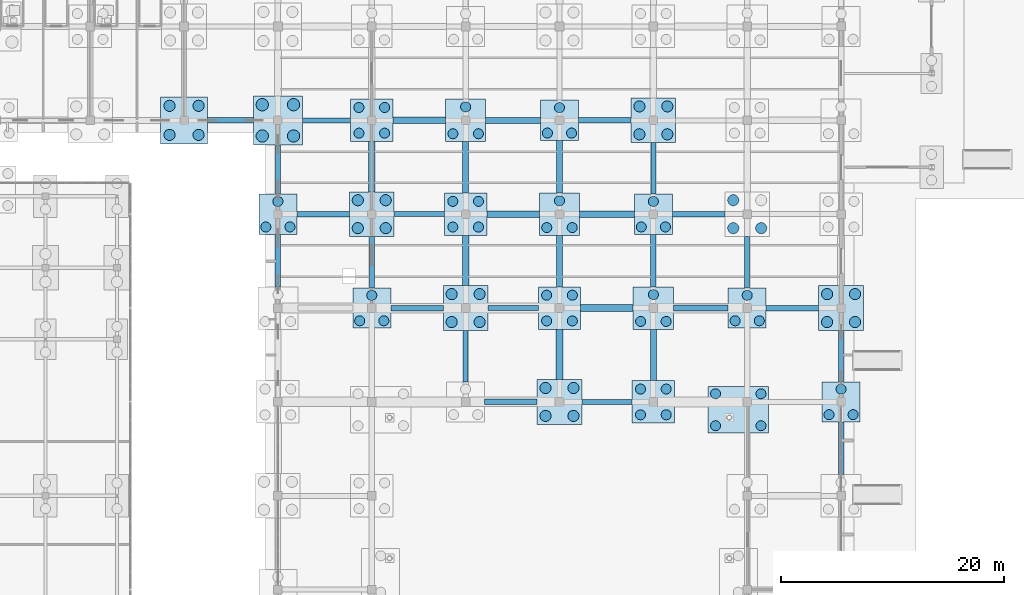
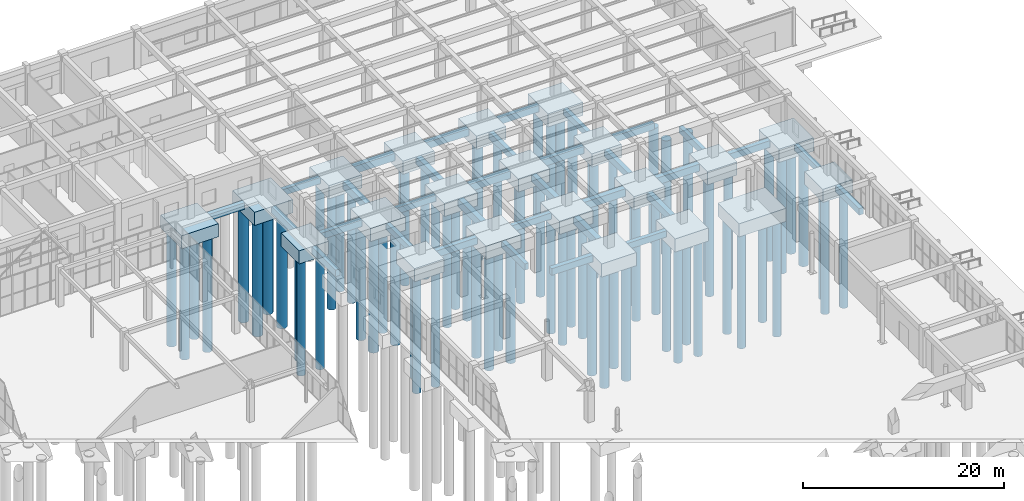
# One storey, part 14 of 192: 78 piles, 54 footings.
"""IFC4 building model written with IfcOpenShell, lengths in metres."""

from ifc_helpers import new_model, si_unit, direction, frame, origin, origin_2d, place, context, subcontext, project, spatial, rectangle, circle, extrude, material, layer, layer_set, material_profile, profile_set, type_object, element, save


model = new_model("IFC4")

# Units and contexts
model_context = context("Model", 3, precision=1e-05, world=origin(), true_north=direction((0.0, 1.0)))
body_context = subcontext(model_context, "Body", "Model", "MODEL_VIEW")
ifc_project = project(units=[si_unit("LENGTHUNIT", "METRE"), si_unit("AREAUNIT", "SQUARE_METRE"), si_unit("VOLUMEUNIT", "CUBIC_METRE"), si_unit("PLANEANGLEUNIT", "RADIAN"), si_unit("MASSUNIT", "GRAM", prefix="KILO")], contexts=[model_context])

# Site, building, storey
site_placement = place(None, origin())
site = spatial("IfcSite", under=ifc_project, at=site_placement, CompositionType="ELEMENT")
building_placement = place(site_placement, origin())
building = spatial("IfcBuilding", under=site, at=building_placement, Name="Trelvath General Hospital", CompositionType="ELEMENT")
storey_placement = place(building_placement, origin())
storey = spatial("IfcBuildingStorey", under=building, at=storey_placement, Name="L00", CompositionType="ELEMENT", Elevation=0.0)

# Piles
ifc_material_1 = material(Name="Concrete C35/45", Category="concrete")
ifc_material_profile_1 = material_profile(ifc_material_1, circle(Radius=0.5, at=origin_2d()), Name="PILE1000")
ifc_profile_set_1 = profile_set([ifc_material_profile_1], Name="Concrete C35/45")
pile_type_1 = type_object("IfcPileType", Name="BoredPile D1000", PredefinedType="BORED", material=ifc_profile_set_1)
for number, where, z_axis, x_axis, name in (
    (1, (124.699951171875, 91.10009765625, -1.800048828125), (0.0, 0.0, -1.0), (1.0, 0.0, 0.0), "Bored Pile P-0868"),
    (2, (127.300048828125, 91.10009765625, -1.800048828125), (0.0, 0.0, -1.0), (1.0, 0.0, 0.0), "Bored Pile P-0869"),
    (3, (124.699951171875, 93.699951171875, -1.800048828125), (0.0, 0.0, -1.0), (1.0, 0.0, 0.0), "Bored Pile P-0870"),
    (4, (127.300048828125, 93.699951171875, -1.800048828125), (0.0, 0.0, -1.0), (1.0, 0.0, 0.0), "Bored Pile P-0871"),
    (5, (141.550048828125, 82.75, -1.800048828125), (0.0, 0.0, -1.0), (1.0, 0.0, 0.0), "Bored Pile P-0974"),
    (6, (144.050048828125, 82.75, -1.800048828125), (0.0, 0.0, -1.0), (1.0, 0.0, 0.0), "Bored Pile P-0975"),
    (7, (141.550048828125, 85.25, -1.800048828125), (0.0, 0.0, -1.0), (1.0, 0.0, 0.0), "Bored Pile P-0976"),
    (8, (144.050048828125, 85.25, -1.800048828125), (0.0, 0.0, -1.0), (1.0, 0.0, 0.0), "Bored Pile P-0977"),
    (9, (149.949951171875, 74.35009765625, -1.800048828125), (0.0, 0.0, -1.0), (1.0, 0.0, 0.0), "Bored Pile P-1002"),
    (10, (152.449951171875, 74.35009765625, -1.800048828125), (0.0, 0.0, -1.0), (1.0, 0.0, 0.0), "Bored Pile P-1003"),
    (11, (149.949951171875, 76.85009765625, -1.800048828125), (0.0, 0.0, -1.0), (1.0, 0.0, 0.0), "Bored Pile P-1004"),
    (12, (152.449951171875, 76.85009765625, -1.800048828125), (0.0, 0.0, -1.0), (1.0, 0.0, 0.0), "Bored Pile P-1005"),
    (13, (158.35009765625, 65.949951171875, -1.800048828125), (0.0, 0.0, -1.0), (1.0, 0.0, 0.0), "Bored Pile P-1030"),
    (14, (160.85009765625, 65.949951171875, -1.800048828125), (0.0, 0.0, -1.0), (1.0, 0.0, 0.0), "Bored Pile P-1031"),
    (15, (158.35009765625, 68.449951171875, -1.800048828125), (0.0, 0.0, -1.0), (1.0, 0.0, 0.0), "Bored Pile P-1032"),
    (16, (160.85009765625, 68.449951171875, -1.800048828125), (0.0, 0.0, -1.0), (1.0, 0.0, 0.0), "Bored Pile P-1033"),
    (17, (166.75, 91.14990234375, -1.800048828125), (0.0, 0.0, -1.0), (1.0, 0.0, 0.0), "Bored Pile P-1072"),
    (18, (169.25, 91.14990234375, -1.800048828125), (0.0, 0.0, -1.0), (1.0, 0.0, 0.0), "Bored Pile P-1073"),
    (19, (166.75, 93.64990234375, -1.800048828125), (0.0, 0.0, -1.0), (1.0, 0.0, 0.0), "Bored Pile P-1074"),
    (20, (169.25, 93.64990234375, -1.800048828125), (0.0, 0.0, -1.0), (1.0, 0.0, 0.0), "Bored Pile P-1075"),
    (21, (175.14990234375, 82.75, -1.800048828125), (0.0, 0.0, -1.0), (1.0, 0.0, 0.0), "Bored Pile P-1112"),
    (22, (177.64990234375, 82.75, -1.800048828125), (0.0, 0.0, -1.0), (1.0, 0.0, 0.0), "Bored Pile P-1113"),
    (23, (175.14990234375, 85.25, -1.800048828125), (0.0, 0.0, -1.0), (1.0, 0.0, 0.0), "Bored Pile P-1114"),
    (24, (183.550048828125, 74.35009765625, -1.800048828125), (0.0, 0.0, -1.0), (1.0, 0.0, 0.0), "Bored Pile P-1154"),
    (25, (186.050048828125, 74.35009765625, -1.800048828125), (0.0, 0.0, -1.0), (1.0, 0.0, 0.0), "Bored Pile P-1155"),
    (26, (183.550048828125, 76.85009765625, -1.800048828125), (0.0, 0.0, -1.0), (1.0, 0.0, 0.0), "Bored Pile P-1156"),
    (27, (186.050048828125, 76.85009765625, -1.800048828125), (0.0, 0.0, -1.0), (1.0, 0.0, 0.0), "Bored Pile P-1157"),
):
    element("IfcPile", number, at=place(storey_placement, frame(where, z_axis=z_axis, x_axis=x_axis)), inside=storey, type_object=pile_type_1, Name=name, PredefinedType="BORED", context=body_context, shape_type="SweptSolid", body=[
        extrude(circle(Radius=0.5, at=origin_2d()), origin(), (0.0, 0.0, 1.0), 14.0),
    ])
ifc_material_2 = material(Name="Concrete C35/45", Category="concrete")
ifc_material_profile_2 = material_profile(ifc_material_2, circle(Radius=0.550048828125, at=origin_2d()), Name="PILE1100")
ifc_profile_set_2 = profile_set([ifc_material_profile_2], Name="Concrete C35/45")
pile_type_2 = type_object("IfcPileType", Name="BoredPile D1100", PredefinedType="BORED", material=ifc_profile_set_2)
for number, where, z_axis, x_axis, name in (
    (28, (133.0, 91.0, -1.800048828125), (0.0, 0.0, -1.0), (1.0, 0.0, 0.0), "Bored Pile P-0928"),
    (29, (135.800048828125, 91.0, -1.800048828125), (0.0, 0.0, -1.0), (1.0, 0.0, 0.0), "Bored Pile P-0929"),
    (30, (133.0, 93.800048828125, -1.800048828125), (0.0, 0.0, -1.0), (1.0, 0.0, 0.0), "Bored Pile P-0930"),
    (31, (135.800048828125, 93.800048828125, -1.800048828125), (0.0, 0.0, -1.0), (1.0, 0.0, 0.0), "Bored Pile P-0931"),
):
    element("IfcPile", number, at=place(storey_placement, frame(where, z_axis=z_axis, x_axis=x_axis)), inside=storey, type_object=pile_type_2, Name=name, PredefinedType="BORED", context=body_context, shape_type="SweptSolid", body=[
        extrude(circle(Radius=0.550048828125, at=origin_2d()), origin(), (0.0, 0.0, 1.0), 14.0),
    ])
ifc_material_3 = material(Name="Concrete C35/45", Category="concrete")
ifc_material_profile_3 = material_profile(ifc_material_3, circle(Radius=0.449951171875, at=origin_2d()), Name="PILE900")
ifc_profile_set_3 = profile_set([ifc_material_profile_3], Name="Concrete C35/45")
pile_type_3 = type_object("IfcPileType", Name="BoredPile D900", PredefinedType="BORED", material=ifc_profile_set_3)
for number, where, z_axis, x_axis, name in (
    (32, (133.320068359375, 82.860107421875, -1.800048828125), (0.0, 0.0, -1.0), (1.0, 0.0, 0.0), "Bored Pile P-0925"),
    (33, (135.47998046875, 82.860107421875, -1.800048828125), (0.0, 0.0, -1.0), (1.0, 0.0, 0.0), "Bored Pile P-0926"),
    (34, (134.39990234375, 85.139892578125, -1.800048828125), (0.0, 0.0, -1.0), (1.0, 0.0, 0.0), "Bored Pile P-0927"),
    (35, (141.719970703125, 74.4599609375, -1.800048828125), (0.0, 0.0, -1.0), (1.0, 0.0, 0.0), "Bored Pile P-0971"),
    (36, (143.8798828125, 74.4599609375, -1.800048828125), (0.0, 0.0, -1.0), (1.0, 0.0, 0.0), "Bored Pile P-0972"),
    (37, (142.800048828125, 76.739990234375, -1.800048828125), (0.0, 0.0, -1.0), (1.0, 0.0, 0.0), "Bored Pile P-0973"),
    (38, (141.64990234375, 91.25, -1.800048828125), (0.0, 0.0, -1.0), (1.0, 0.0, 0.0), "Bored Pile P-0978"),
    (39, (143.949951171875, 91.25, -1.800048828125), (0.0, 0.0, -1.0), (1.0, 0.0, 0.0), "Bored Pile P-0979"),
    (40, (141.64990234375, 93.550048828125, -1.800048828125), (0.0, 0.0, -1.0), (1.0, 0.0, 0.0), "Bored Pile P-0980"),
    (41, (143.949951171875, 93.550048828125, -1.800048828125), (0.0, 0.0, -1.0), (1.0, 0.0, 0.0), "Bored Pile P-0981"),
    (42, (150.050048828125, 82.85009765625, -1.800048828125), (0.0, 0.0, -1.0), (1.0, 0.0, 0.0), "Bored Pile P-1006"),
    (43, (152.35009765625, 82.85009765625, -1.800048828125), (0.0, 0.0, -1.0), (1.0, 0.0, 0.0), "Bored Pile P-1007"),
    (44, (150.050048828125, 85.14990234375, -1.800048828125), (0.0, 0.0, -1.0), (1.0, 0.0, 0.0), "Bored Pile P-1008"),
    (45, (152.35009765625, 85.14990234375, -1.800048828125), (0.0, 0.0, -1.0), (1.0, 0.0, 0.0), "Bored Pile P-1009"),
    (46, (150.06005859375, 91.199951171875, -1.800048828125), (0.0, 0.0, -1.0), (1.0, 0.0, 0.0), "Bored Pile P-1010"),
    (47, (152.340087890625, 91.199951171875, -1.800048828125), (0.0, 0.0, -1.0), (1.0, 0.0, 0.0), "Bored Pile P-1011"),
    (48, (151.199951171875, 93.60009765625, -1.800048828125), (0.0, 0.0, -1.0), (1.0, 0.0, 0.0), "Bored Pile P-1012"),
    (49, (158.449951171875, 74.449951171875, -1.800048828125), (0.0, 0.0, -1.0), (1.0, 0.0, 0.0), "Bored Pile P-1034"),
    (50, (160.75, 74.449951171875, -1.800048828125), (0.0, 0.0, -1.0), (1.0, 0.0, 0.0), "Bored Pile P-1035"),
    (51, (158.449951171875, 76.75, -1.800048828125), (0.0, 0.0, -1.0), (1.0, 0.0, 0.0), "Bored Pile P-1036"),
    (52, (160.75, 76.75, -1.800048828125), (0.0, 0.0, -1.0), (1.0, 0.0, 0.0), "Bored Pile P-1037"),
    (53, (158.4599609375, 82.800048828125, -1.800048828125), (0.0, 0.0, -1.0), (1.0, 0.0, 0.0), "Bored Pile P-1038"),
    (54, (160.739990234375, 82.800048828125, -1.800048828125), (0.0, 0.0, -1.0), (1.0, 0.0, 0.0), "Bored Pile P-1039"),
    (55, (159.60009765625, 85.199951171875, -1.800048828125), (0.0, 0.0, -1.0), (1.0, 0.0, 0.0), "Bored Pile P-1040"),
    (56, (158.52001953125, 91.260009765625, -1.800048828125), (0.0, 0.0, -1.0), (1.0, 0.0, 0.0), "Bored Pile P-1041"),
    (57, (160.679931640625, 91.260009765625, -1.800048828125), (0.0, 0.0, -1.0), (1.0, 0.0, 0.0), "Bored Pile P-1042"),
    (58, (159.60009765625, 93.5400390625, -1.800048828125), (0.0, 0.0, -1.0), (1.0, 0.0, 0.0), "Bored Pile P-1043"),
    (59, (166.85009765625, 66.050048828125, -1.800048828125), (0.0, 0.0, -1.0), (1.0, 0.0, 0.0), "Bored Pile P-1062"),
    (60, (169.14990234375, 66.050048828125, -1.800048828125), (0.0, 0.0, -1.0), (1.0, 0.0, 0.0), "Bored Pile P-1063"),
    (61, (166.85009765625, 68.35009765625, -1.800048828125), (0.0, 0.0, -1.0), (1.0, 0.0, 0.0), "Bored Pile P-1064"),
    (62, (169.14990234375, 68.35009765625, -1.800048828125), (0.0, 0.0, -1.0), (1.0, 0.0, 0.0), "Bored Pile P-1065"),
    (63, (166.860107421875, 74.39990234375, -1.800048828125), (0.0, 0.0, -1.0), (1.0, 0.0, 0.0), "Bored Pile P-1066"),
    (64, (169.139892578125, 74.39990234375, -1.800048828125), (0.0, 0.0, -1.0), (1.0, 0.0, 0.0), "Bored Pile P-1067"),
    (65, (168.0, 76.800048828125, -1.800048828125), (0.0, 0.0, -1.0), (1.0, 0.0, 0.0), "Bored Pile P-1068"),
    (66, (166.919921875, 82.860107421875, -1.800048828125), (0.0, 0.0, -1.0), (1.0, 0.0, 0.0), "Bored Pile P-1069"),
    (67, (169.080078125, 82.860107421875, -1.800048828125), (0.0, 0.0, -1.0), (1.0, 0.0, 0.0), "Bored Pile P-1070"),
    (68, (168.0, 85.139892578125, -1.800048828125), (0.0, 0.0, -1.0), (1.0, 0.0, 0.0), "Bored Pile P-1071"),
    (69, (173.570068359375, 65.070068359375, -1.800048828125), (0.0, 0.0, -1.0), (1.0, 0.0, 0.0), "Bored Pile P-1094"),
    (70, (173.570068359375, 67.929931640625, -1.800048828125), (0.0, 0.0, -1.0), (1.0, 0.0, 0.0), "Bored Pile P-1095"),
    (71, (177.6298828125, 65.070068359375, -1.800048828125), (0.0, 0.0, -1.0), (1.0, 0.0, 0.0), "Bored Pile P-1096"),
    (72, (177.6298828125, 67.929931640625, -1.800048828125), (0.0, 0.0, -1.0), (1.0, 0.0, 0.0), "Bored Pile P-1097"),
    (73, (175.320068359375, 74.4599609375, -1.800048828125), (0.0, 0.0, -1.0), (1.0, 0.0, 0.0), "Bored Pile P-1109"),
    (74, (177.47998046875, 74.4599609375, -1.800048828125), (0.0, 0.0, -1.0), (1.0, 0.0, 0.0), "Bored Pile P-1110"),
    (75, (176.39990234375, 76.739990234375, -1.800048828125), (0.0, 0.0, -1.0), (1.0, 0.0, 0.0), "Bored Pile P-1111"),
    (76, (183.719970703125, 66.06005859375, -1.800048828125), (0.0, 0.0, -1.0), (1.0, 0.0, 0.0), "Bored Pile P-1151"),
    (77, (185.8798828125, 66.06005859375, -1.800048828125), (0.0, 0.0, -1.0), (1.0, 0.0, 0.0), "Bored Pile P-1152"),
    (78, (184.800048828125, 68.340087890625, -1.800048828125), (0.0, 0.0, -1.0), (1.0, 0.0, 0.0), "Bored Pile P-1153"),
):
    element("IfcPile", number, at=place(storey_placement, frame(where, z_axis=z_axis, x_axis=x_axis)), inside=storey, type_object=pile_type_3, Name=name, PredefinedType="BORED", context=body_context, shape_type="SweptSolid", body=[
        extrude(circle(Radius=0.449951171875, at=origin_2d()), origin(), (0.0, 0.0, 1.0), 14.0),
    ])

# Footings
ifc_material_4 = material(Name="Concrete C35/45", Category="concrete")
ifc_layer_1 = layer(ifc_material_4, 1.60009765625)
ifc_layer_set_1 = layer_set([ifc_layer_1], Name="Concrete C35/45")
footing_type_1 = type_object("IfcFootingType", Name="PileCap 3P 340x360", PredefinedType="PILE_CAP", material=ifc_layer_set_1)
for number, where, z_axis, x_axis, name in (
    (79, (134.39990234375, 84.0, -1.900146484375), (0.0, 0.0, 1.0), (1.0, 0.0, 0.0), "Pile Cap PC-252"),
    (80, (142.800048828125, 75.60009765625, -1.900146484375), (0.0, 0.0, 1.0), (1.0, 0.0, 0.0), "Pile Cap PC-264"),
    (81, (159.60009765625, 92.39990234375, -1.900146484375), (0.0, 0.0, 1.0), (1.0, 0.0, 0.0), "Pile Cap PC-284"),
    (82, (168.0, 84.0, -1.900146484375), (0.0, 0.0, 1.0), (1.0, 0.0, 0.0), "Pile Cap PC-292"),
    (83, (176.39990234375, 75.60009765625, -1.900146484375), (0.0, 0.0, 1.0), (1.0, 0.0, 0.0), "Pile Cap PC-304"),
    (84, (184.800048828125, 67.199951171875, -1.900146484375), (0.0, 0.0, 1.0), (1.0, 0.0, 0.0), "Pile Cap PC-316"),
):
    element("IfcFooting", number, at=place(storey_placement, frame(where, z_axis=z_axis, x_axis=x_axis)), inside=storey, type_object=footing_type_1, Name=name, PredefinedType="PILE_CAP", context=body_context, shape_type="SweptSolid", body=[
        extrude(rectangle(XDim=3.39990234375, YDim=3.60009765625, at=origin_2d()), origin(), (0.0, 0.0, 1.0), 1.60009765625),
    ])
ifc_material_5 = material(Name="Concrete C35/45", Category="concrete")
ifc_layer_2 = layer(ifc_material_5, 1.60009765625)
ifc_layer_set_2 = layer_set([ifc_layer_2], Name="Concrete C35/45")
footing_type_2 = type_object("IfcFootingType", Name="PileCap 3P 360x380", PredefinedType="PILE_CAP", material=ifc_layer_set_2)
for number, where, z_axis, x_axis, name in (
    (85, (151.199951171875, 92.39990234375, -1.900146484375), (0.0, 0.0, 1.0), (1.0, 0.0, 0.0), "Pile Cap PC-275"),
    (86, (159.60009765625, 84.0, -1.900146484375), (0.0, 0.0, 1.0), (1.0, 0.0, 0.0), "Pile Cap PC-283"),
    (87, (168.0, 75.60009765625, -1.900146484375), (0.0, 0.0, 1.0), (1.0, 0.0, 0.0), "Pile Cap PC-291"),
):
    element("IfcFooting", number, at=place(storey_placement, frame(where, z_axis=z_axis, x_axis=x_axis)), inside=storey, type_object=footing_type_2, Name=name, PredefinedType="PILE_CAP", context=body_context, shape_type="SweptSolid", body=[
        extrude(rectangle(XDim=3.60009765625, YDim=3.800048828125, at=origin_2d()), origin(), (0.0, 0.0, 1.0), 1.60009765625),
    ])
ifc_material_6 = material(Name="Concrete C35/45", Category="concrete")
ifc_layer_3 = layer(ifc_material_6, 1.60009765625)
ifc_layer_set_3 = layer_set([ifc_layer_3], Name="Concrete C35/45")
footing_type_3 = type_object("IfcFootingType", Name="PileCap 4P 380x380", PredefinedType="PILE_CAP", material=ifc_layer_set_3)
for number, where, z_axis, x_axis, name in (
    (88, (142.800048828125, 92.39990234375, -1.900146484375), (0.0, 0.0, 1.0), (1.0, 0.0, 0.0), "Pile Cap PC-266"),
    (89, (151.199951171875, 84.0, -1.900146484375), (0.0, 0.0, 1.0), (1.0, 0.0, 0.0), "Pile Cap PC-274"),
    (90, (159.60009765625, 75.60009765625, -1.900146484375), (0.0, 0.0, 1.0), (1.0, 0.0, 0.0), "Pile Cap PC-282"),
    (91, (168.0, 67.199951171875, -1.900146484375), (0.0, 0.0, 1.0), (1.0, 0.0, 0.0), "Pile Cap PC-290"),
):
    element("IfcFooting", number, at=place(storey_placement, frame(where, z_axis=z_axis, x_axis=x_axis)), inside=storey, type_object=footing_type_3, Name=name, PredefinedType="PILE_CAP", context=body_context, shape_type="SweptSolid", body=[
        extrude(rectangle(XDim=3.800048828125, YDim=3.800048828125, at=origin_2d()), origin(), (0.0, 0.0, 1.0), 1.60009765625),
    ])
ifc_material_7 = material(Name="Concrete C35/45", Category="concrete")
ifc_layer_4 = layer(ifc_material_7, 1.60009765625)
ifc_layer_set_4 = layer_set([ifc_layer_4], Name="Concrete C35/45")
footing_type_4 = type_object("IfcFootingType", Name="PileCap 4P 400x400", PredefinedType="PILE_CAP", material=ifc_layer_set_4)
for number, where, z_axis, x_axis, name in (
    (92, (142.800048828125, 84.0, -1.900146484375), (0.0, 0.0, 1.0), (1.0, 0.0, 0.0), "Pile Cap PC-265"),
    (93, (151.199951171875, 75.60009765625, -1.900146484375), (0.0, 0.0, 1.0), (1.0, 0.0, 0.0), "Pile Cap PC-273"),
    (94, (159.60009765625, 67.199951171875, -1.900146484375), (0.0, 0.0, 1.0), (1.0, 0.0, 0.0), "Pile Cap PC-281"),
    (95, (168.0, 92.39990234375, -1.900146484375), (0.0, 0.0, 1.0), (1.0, 0.0, 0.0), "Pile Cap PC-293"),
    (96, (184.800048828125, 75.60009765625, -1.900146484375), (0.0, 0.0, 1.0), (1.0, 0.0, 0.0), "Pile Cap PC-317"),
):
    element("IfcFooting", number, at=place(storey_placement, frame(where, z_axis=z_axis, x_axis=x_axis)), inside=storey, type_object=footing_type_4, Name=name, PredefinedType="PILE_CAP", context=body_context, shape_type="SweptSolid", body=[
        extrude(rectangle(XDim=4.0, YDim=4.0, at=origin_2d()), origin(), (0.0, 0.0, 1.0), 1.60009765625),
    ])
ifc_material_8 = material(Name="Concrete C35/45", Category="concrete")
ifc_layer_5 = layer(ifc_material_8, 1.60009765625)
ifc_layer_set_5 = layer_set([ifc_layer_5], Name="Concrete C35/45")
footing_type_5 = type_object("IfcFootingType", Name="PileCap 4P 420x420", PredefinedType="PILE_CAP", material=ifc_layer_set_5)
footing_1_placement = place(storey_placement, frame((126.0, 92.39990234375, -1.900146484375), z_axis=(0.0, 0.0, 1.0), x_axis=(1.0, 0.0, 0.0)))
element("IfcFooting", 97, at=footing_1_placement, inside=storey, type_object=footing_type_5, Name="Pile Cap PC-238", PredefinedType="PILE_CAP", context=body_context, shape_type="SweptSolid", body=[
    extrude(rectangle(XDim=4.199951171875, YDim=4.199951171875, at=origin_2d()), origin(), (0.0, 0.0, 1.0), 1.60009765625),
])
ifc_material_9 = material(Name="Concrete C35/45", Category="concrete")
ifc_layer_6 = layer(ifc_material_9, 1.60009765625)
ifc_layer_set_6 = layer_set([ifc_layer_6], Name="Concrete C35/45")
footing_type_6 = type_object("IfcFootingType", Name="PileCap 4P 440x440", PredefinedType="PILE_CAP", material=ifc_layer_set_6)
footing_2_placement = place(storey_placement, frame((134.39990234375, 92.39990234375, -1.900146484375), z_axis=(0.0, 0.0, 1.0), x_axis=(1.0, 0.0, 0.0)))
element("IfcFooting", 98, at=footing_2_placement, inside=storey, type_object=footing_type_6, Name="Pile Cap PC-253", PredefinedType="PILE_CAP", context=body_context, shape_type="SweptSolid", body=[
    extrude(rectangle(XDim=4.39990234375, YDim=4.39990234375, at=origin_2d()), origin(), (0.0, 0.0, 1.0), 1.60009765625),
])
ifc_material_10 = material(Name="Concrete C35/45", Category="concrete")
ifc_layer_7 = layer(ifc_material_10, 1.60009765625)
ifc_layer_set_7 = layer_set([ifc_layer_7], Name="Concrete C35/45")
footing_type_7 = type_object("IfcFootingType", Name="PileCap Combined 540x420", PredefinedType="PILE_CAP", material=ifc_layer_set_7)
footing_3_placement = place(storey_placement, frame((175.60009765625, 66.5, -1.900146484375), z_axis=(0.0, 0.0, 1.0), x_axis=(1.0, 0.0, 0.0)))
element("IfcFooting", 99, at=footing_3_placement, inside=storey, type_object=footing_type_7, Name="Pile Cap PC-300", PredefinedType="PILE_CAP", context=body_context, shape_type="SweptSolid", body=[
    extrude(rectangle(XDim=5.39990234375, YDim=4.199951171875, at=origin_2d()), origin(), (0.0, 0.0, 1.0), 1.60009765625),
])
ifc_material_11 = material(Name="Concrete C35/45", Category="concrete")
ifc_layer_8 = layer(ifc_material_11, 0.75)
ifc_layer_set_8 = layer_set([ifc_layer_8], Name="Concrete C35/45")
footing_type_8 = type_object("IfcFootingType", Name="TieBeam 450x750", PredefinedType="FOOTING_BEAM", material=ifc_layer_set_8)
footing_4_placement = place(storey_placement, frame((134.39990234375, 88.0, -1.050048828125), z_axis=(0.0, 0.0, 1.0), x_axis=(1.0, 0.0, 0.0)))
element("IfcFooting", 100, at=footing_4_placement, inside=storey, type_object=footing_type_8, Name="Foundation Tie Beam TB-293", PredefinedType="FOOTING_BEAM", context=body_context, shape_type="SweptSolid", body=[
    extrude(rectangle(XDim=0.449951171875, YDim=4.39990234375, at=origin_2d()), origin(), (0.0, 0.0, 1.0), 0.75),
])
footing_5_placement = place(storey_placement, frame((138.75, 92.39990234375, -1.050048828125), z_axis=(0.0, 0.0, 1.0), x_axis=(1.0, 0.0, 0.0)))
element("IfcFooting", 101, at=footing_5_placement, inside=storey, type_object=footing_type_8, Name="Foundation Tie Beam TB-294", PredefinedType="FOOTING_BEAM", context=body_context, shape_type="SweptSolid", body=[
    extrude(rectangle(XDim=4.300048828125, YDim=0.449951171875, at=origin_2d()), origin(), (0.0, 0.0, 1.0), 0.75),
])
footing_6_placement = place(storey_placement, frame((142.800048828125, 79.699951171875, -1.050048828125), z_axis=(0.0, 0.0, 1.0), x_axis=(1.0, 0.0, 0.0)))
element("IfcFooting", 102, at=footing_6_placement, inside=storey, type_object=footing_type_8, Name="Foundation Tie Beam TB-303", PredefinedType="FOOTING_BEAM", context=body_context, shape_type="SweptSolid", body=[
    extrude(rectangle(XDim=0.449951171875, YDim=4.60009765625, at=origin_2d()), origin(), (0.0, 0.0, 1.0), 0.75),
])
footing_7_placement = place(storey_placement, frame((147.050048828125, 84.0, -1.050048828125), z_axis=(0.0, 0.0, 1.0), x_axis=(1.0, 0.0, 0.0)))
element("IfcFooting", 103, at=footing_7_placement, inside=storey, type_object=footing_type_8, Name="Foundation Tie Beam TB-304", PredefinedType="FOOTING_BEAM", context=body_context, shape_type="SweptSolid", body=[
    extrude(rectangle(XDim=4.5, YDim=0.449951171875, at=origin_2d()), origin(), (0.0, 0.0, 1.0), 0.75),
])
footing_8_placement = place(storey_placement, frame((151.199951171875, 71.300048828125, -1.050048828125), z_axis=(0.0, 0.0, 1.0), x_axis=(1.0, 0.0, 0.0)))
element("IfcFooting", 104, at=footing_8_placement, inside=storey, type_object=footing_type_8, Name="Foundation Tie Beam TB-317", PredefinedType="FOOTING_BEAM", context=body_context, shape_type="SweptSolid", body=[
    extrude(rectangle(XDim=0.449951171875, YDim=4.60009765625, at=origin_2d()), origin(), (0.0, 0.0, 1.0), 0.75),
])
for number, where, z_axis, x_axis, name in (
    (105, (155.449951171875, 75.60009765625, -1.050048828125), (0.0, 0.0, 1.0), (1.0, 0.0, 0.0), "Foundation Tie Beam TB-318"),
    (106, (163.85009765625, 67.199951171875, -1.050048828125), (0.0, 0.0, 1.0), (1.0, 0.0, 0.0), "Foundation Tie Beam TB-332"),
):
    element("IfcFooting", number, at=place(storey_placement, frame(where, z_axis=z_axis, x_axis=x_axis)), inside=storey, type_object=footing_type_8, Name=name, PredefinedType="FOOTING_BEAM", context=body_context, shape_type="SweptSolid", body=[
        extrude(rectangle(XDim=4.5, YDim=0.449951171875, at=origin_2d()), origin(), (0.0, 0.0, 1.0), 0.75),
    ])
for number, where, z_axis, x_axis, name in (
    (107, (168.0, 88.10009765625, -1.050048828125), (0.0, 0.0, 1.0), (1.0, 0.0, 0.0), "Foundation Tie Beam TB-351"),
    (108, (176.39990234375, 79.699951171875, -1.050048828125), (0.0, 0.0, 1.0), (1.0, 0.0, 0.0), "Foundation Tie Beam TB-363"),
    (109, (184.800048828125, 71.300048828125, -1.050048828125), (0.0, 0.0, 1.0), (1.0, 0.0, 0.0), "Foundation Tie Beam TB-379"),
):
    element("IfcFooting", number, at=place(storey_placement, frame(where, z_axis=z_axis, x_axis=x_axis)), inside=storey, type_object=footing_type_8, Name=name, PredefinedType="FOOTING_BEAM", context=body_context, shape_type="SweptSolid", body=[
        extrude(rectangle(XDim=0.449951171875, YDim=4.60009765625, at=origin_2d()), origin(), (0.0, 0.0, 1.0), 0.75),
    ])
ifc_material_12 = material(Name="Concrete C35/45", Category="concrete")
ifc_layer_9 = layer(ifc_material_12, 0.800048828125)
ifc_layer_set_9 = layer_set([ifc_layer_9], Name="Concrete C35/45")
footing_type_9 = type_object("IfcFootingType", Name="TieBeam 500x800", PredefinedType="FOOTING_BEAM", material=ifc_layer_set_9)
footing_9_placement = place(storey_placement, frame((130.14990234375, 92.39990234375, -1.10009765625), z_axis=(0.0, 0.0, 1.0), x_axis=(1.0, 0.0, 0.0)))
element("IfcFooting", 110, at=footing_9_placement, inside=storey, type_object=footing_type_9, Name="Foundation Tie Beam TB-271", PredefinedType="FOOTING_BEAM", context=body_context, shape_type="SweptSolid", body=[
    extrude(rectangle(XDim=4.10009765625, YDim=0.5, at=origin_2d()), origin(), (0.0, 0.0, 1.0), 0.800048828125),
])
footing_10_placement = place(storey_placement, frame((134.39990234375, 79.85009765625, -1.10009765625), z_axis=(0.0, 0.0, 1.0), x_axis=(1.0, 0.0, 0.0)))
element("IfcFooting", 111, at=footing_10_placement, inside=storey, type_object=footing_type_9, Name="Foundation Tie Beam TB-291", PredefinedType="FOOTING_BEAM", context=body_context, shape_type="SweptSolid", body=[
    extrude(rectangle(XDim=0.5, YDim=4.699951171875, at=origin_2d()), origin(), (0.0, 0.0, 1.0), 0.800048828125),
])
for number, where, z_axis, x_axis, name in (
    (112, (138.449951171875, 84.0, -1.10009765625), (0.0, 0.0, 1.0), (1.0, 0.0, 0.0), "Foundation Tie Beam TB-292"),
    (113, (146.85009765625, 75.60009765625, -1.10009765625), (0.0, 0.0, 1.0), (1.0, 0.0, 0.0), "Foundation Tie Beam TB-302"),
    (114, (155.25, 67.199951171875, -1.10009765625), (0.0, 0.0, 1.0), (1.0, 0.0, 0.0), "Foundation Tie Beam TB-316"),
):
    element("IfcFooting", number, at=place(storey_placement, frame(where, z_axis=z_axis, x_axis=x_axis)), inside=storey, type_object=footing_type_9, Name=name, PredefinedType="FOOTING_BEAM", context=body_context, shape_type="SweptSolid", body=[
        extrude(rectangle(XDim=4.699951171875, YDim=0.5, at=origin_2d()), origin(), (0.0, 0.0, 1.0), 0.800048828125),
    ])
footing_11_placement = place(storey_placement, frame((159.60009765625, 88.25, -1.10009765625), z_axis=(0.0, 0.0, 1.0), x_axis=(1.0, 0.0, 0.0)))
element("IfcFooting", 115, at=footing_11_placement, inside=storey, type_object=footing_type_9, Name="Foundation Tie Beam TB-337", PredefinedType="FOOTING_BEAM", context=body_context, shape_type="SweptSolid", body=[
    extrude(rectangle(XDim=0.5, YDim=4.699951171875, at=origin_2d()), origin(), (0.0, 0.0, 1.0), 0.800048828125),
])
footing_12_placement = place(storey_placement, frame((163.64990234375, 92.39990234375, -1.10009765625), z_axis=(0.0, 0.0, 1.0), x_axis=(1.0, 0.0, 0.0)))
element("IfcFooting", 116, at=footing_12_placement, inside=storey, type_object=footing_type_9, Name="Foundation Tie Beam TB-338", PredefinedType="FOOTING_BEAM", context=body_context, shape_type="SweptSolid", body=[
    extrude(rectangle(XDim=4.699951171875, YDim=0.5, at=origin_2d()), origin(), (0.0, 0.0, 1.0), 0.800048828125),
])
footing_13_placement = place(storey_placement, frame((168.0, 79.85009765625, -1.10009765625), z_axis=(0.0, 0.0, 1.0), x_axis=(1.0, 0.0, 0.0)))
element("IfcFooting", 117, at=footing_13_placement, inside=storey, type_object=footing_type_9, Name="Foundation Tie Beam TB-349", PredefinedType="FOOTING_BEAM", context=body_context, shape_type="SweptSolid", body=[
    extrude(rectangle(XDim=0.5, YDim=4.699951171875, at=origin_2d()), origin(), (0.0, 0.0, 1.0), 0.800048828125),
])
for number, where, z_axis, x_axis, name in (
    (118, (172.050048828125, 84.0, -1.10009765625), (0.0, 0.0, 1.0), (1.0, 0.0, 0.0), "Foundation Tie Beam TB-350"),
    (119, (180.449951171875, 75.60009765625, -1.10009765625), (0.0, 0.0, 1.0), (1.0, 0.0, 0.0), "Foundation Tie Beam TB-362"),
):
    element("IfcFooting", number, at=place(storey_placement, frame(where, z_axis=z_axis, x_axis=x_axis)), inside=storey, type_object=footing_type_9, Name=name, PredefinedType="FOOTING_BEAM", context=body_context, shape_type="SweptSolid", body=[
        extrude(rectangle(XDim=4.699951171875, YDim=0.5, at=origin_2d()), origin(), (0.0, 0.0, 1.0), 0.800048828125),
    ])
footing_14_placement = place(storey_placement, frame((184.800048828125, 63.050048828125, -1.10009765625), z_axis=(0.0, 0.0, 1.0), x_axis=(1.0, 0.0, 0.0)))
element("IfcFooting", 120, at=footing_14_placement, inside=storey, type_object=footing_type_9, Name="Foundation Tie Beam TB-378", PredefinedType="FOOTING_BEAM", context=body_context, shape_type="SweptSolid", body=[
    extrude(rectangle(XDim=0.5, YDim=4.699951171875, at=origin_2d()), origin(), (0.0, 0.0, 1.0), 0.800048828125),
])
ifc_material_13 = material(Name="Concrete C35/45", Category="concrete")
ifc_layer_10 = layer(ifc_material_13, 0.85009765625)
ifc_layer_set_10 = layer_set([ifc_layer_10], Name="Concrete C35/45")
footing_type_10 = type_object("IfcFootingType", Name="TieBeam 550x850", PredefinedType="FOOTING_BEAM", material=ifc_layer_set_10)
footing_15_placement = place(storey_placement, frame((151.199951171875, 88.199951171875, -1.150146484375), z_axis=(0.0, 0.0, 1.0), x_axis=(1.0, 0.0, 0.0)))
element("IfcFooting", 121, at=footing_15_placement, inside=storey, type_object=footing_type_10, Name="Foundation Tie Beam TB-321", PredefinedType="FOOTING_BEAM", context=body_context, shape_type="SweptSolid", body=[
    extrude(rectangle(XDim=0.550048828125, YDim=4.60009765625, at=origin_2d()), origin(), (0.0, 0.0, 1.0), 0.85009765625),
])
footing_16_placement = place(storey_placement, frame((155.449951171875, 92.39990234375, -1.150146484375), z_axis=(0.0, 0.0, 1.0), x_axis=(1.0, 0.0, 0.0)))
element("IfcFooting", 122, at=footing_16_placement, inside=storey, type_object=footing_type_10, Name="Foundation Tie Beam TB-322", PredefinedType="FOOTING_BEAM", context=body_context, shape_type="SweptSolid", body=[
    extrude(rectangle(XDim=4.89990234375, YDim=0.550048828125, at=origin_2d()), origin(), (0.0, 0.0, 1.0), 0.85009765625),
])
footing_17_placement = place(storey_placement, frame((159.60009765625, 79.800048828125, -1.150146484375), z_axis=(0.0, 0.0, 1.0), x_axis=(1.0, 0.0, 0.0)))
element("IfcFooting", 123, at=footing_17_placement, inside=storey, type_object=footing_type_10, Name="Foundation Tie Beam TB-335", PredefinedType="FOOTING_BEAM", context=body_context, shape_type="SweptSolid", body=[
    extrude(rectangle(XDim=0.550048828125, YDim=4.60009765625, at=origin_2d()), origin(), (0.0, 0.0, 1.0), 0.85009765625),
])
footing_18_placement = place(storey_placement, frame((163.85009765625, 84.0, -1.150146484375), z_axis=(0.0, 0.0, 1.0), x_axis=(1.0, 0.0, 0.0)))
element("IfcFooting", 124, at=footing_18_placement, inside=storey, type_object=footing_type_10, Name="Foundation Tie Beam TB-336", PredefinedType="FOOTING_BEAM", context=body_context, shape_type="SweptSolid", body=[
    extrude(rectangle(XDim=4.89990234375, YDim=0.550048828125, at=origin_2d()), origin(), (0.0, 0.0, 1.0), 0.85009765625),
])
footing_19_placement = place(storey_placement, frame((168.0, 71.39990234375, -1.150146484375), z_axis=(0.0, 0.0, 1.0), x_axis=(1.0, 0.0, 0.0)))
element("IfcFooting", 125, at=footing_19_placement, inside=storey, type_object=footing_type_10, Name="Foundation Tie Beam TB-347", PredefinedType="FOOTING_BEAM", context=body_context, shape_type="SweptSolid", body=[
    extrude(rectangle(XDim=0.550048828125, YDim=4.60009765625, at=origin_2d()), origin(), (0.0, 0.0, 1.0), 0.85009765625),
])
footing_20_placement = place(storey_placement, frame((172.25, 75.60009765625, -1.150146484375), z_axis=(0.0, 0.0, 1.0), x_axis=(1.0, 0.0, 0.0)))
element("IfcFooting", 126, at=footing_20_placement, inside=storey, type_object=footing_type_10, Name="Foundation Tie Beam TB-348", PredefinedType="FOOTING_BEAM", context=body_context, shape_type="SweptSolid", body=[
    extrude(rectangle(XDim=4.89990234375, YDim=0.550048828125, at=origin_2d()), origin(), (0.0, 0.0, 1.0), 0.85009765625),
])
ifc_material_14 = material(Name="Concrete C35/45", Category="concrete")
ifc_layer_11 = layer(ifc_material_14, 0.89990234375)
ifc_layer_set_11 = layer_set([ifc_layer_11], Name="Concrete C35/45")
footing_type_11 = type_object("IfcFootingType", Name="TieBeam 600x900", PredefinedType="FOOTING_BEAM", material=ifc_layer_set_11)
footing_21_placement = place(storey_placement, frame((142.800048828125, 88.25, -1.199951171875), z_axis=(0.0, 0.0, 1.0), x_axis=(1.0, 0.0, 0.0)))
element("IfcFooting", 127, at=footing_21_placement, inside=storey, type_object=footing_type_11, Name="Foundation Tie Beam TB-305", PredefinedType="FOOTING_BEAM", context=body_context, shape_type="SweptSolid", body=[
    extrude(rectangle(XDim=0.60009765625, YDim=4.5, at=origin_2d()), origin(), (0.0, 0.0, 1.0), 0.89990234375),
])
footing_22_placement = place(storey_placement, frame((147.050048828125, 92.39990234375, -1.199951171875), z_axis=(0.0, 0.0, 1.0), x_axis=(1.0, 0.0, 0.0)))
element("IfcFooting", 128, at=footing_22_placement, inside=storey, type_object=footing_type_11, Name="Foundation Tie Beam TB-306", PredefinedType="FOOTING_BEAM", context=body_context, shape_type="SweptSolid", body=[
    extrude(rectangle(XDim=4.699951171875, YDim=0.60009765625, at=origin_2d()), origin(), (0.0, 0.0, 1.0), 0.89990234375),
])
footing_23_placement = place(storey_placement, frame((151.199951171875, 79.85009765625, -1.199951171875), z_axis=(0.0, 0.0, 1.0), x_axis=(1.0, 0.0, 0.0)))
element("IfcFooting", 129, at=footing_23_placement, inside=storey, type_object=footing_type_11, Name="Foundation Tie Beam TB-319", PredefinedType="FOOTING_BEAM", context=body_context, shape_type="SweptSolid", body=[
    extrude(rectangle(XDim=0.60009765625, YDim=4.5, at=origin_2d()), origin(), (0.0, 0.0, 1.0), 0.89990234375),
])
footing_24_placement = place(storey_placement, frame((155.449951171875, 84.0, -1.199951171875), z_axis=(0.0, 0.0, 1.0), x_axis=(1.0, 0.0, 0.0)))
element("IfcFooting", 130, at=footing_24_placement, inside=storey, type_object=footing_type_11, Name="Foundation Tie Beam TB-320", PredefinedType="FOOTING_BEAM", context=body_context, shape_type="SweptSolid", body=[
    extrude(rectangle(XDim=4.699951171875, YDim=0.60009765625, at=origin_2d()), origin(), (0.0, 0.0, 1.0), 0.89990234375),
])
footing_25_placement = place(storey_placement, frame((159.60009765625, 71.449951171875, -1.199951171875), z_axis=(0.0, 0.0, 1.0), x_axis=(1.0, 0.0, 0.0)))
element("IfcFooting", 131, at=footing_25_placement, inside=storey, type_object=footing_type_11, Name="Foundation Tie Beam TB-333", PredefinedType="FOOTING_BEAM", context=body_context, shape_type="SweptSolid", body=[
    extrude(rectangle(XDim=0.60009765625, YDim=4.5, at=origin_2d()), origin(), (0.0, 0.0, 1.0), 0.89990234375),
])
footing_26_placement = place(storey_placement, frame((163.85009765625, 75.60009765625, -1.199951171875), z_axis=(0.0, 0.0, 1.0), x_axis=(1.0, 0.0, 0.0)))
element("IfcFooting", 132, at=footing_26_placement, inside=storey, type_object=footing_type_11, Name="Foundation Tie Beam TB-334", PredefinedType="FOOTING_BEAM", context=body_context, shape_type="SweptSolid", body=[
    extrude(rectangle(XDim=4.699951171875, YDim=0.60009765625, at=origin_2d()), origin(), (0.0, 0.0, 1.0), 0.89990234375),
])

save(model, "model.ifc")
